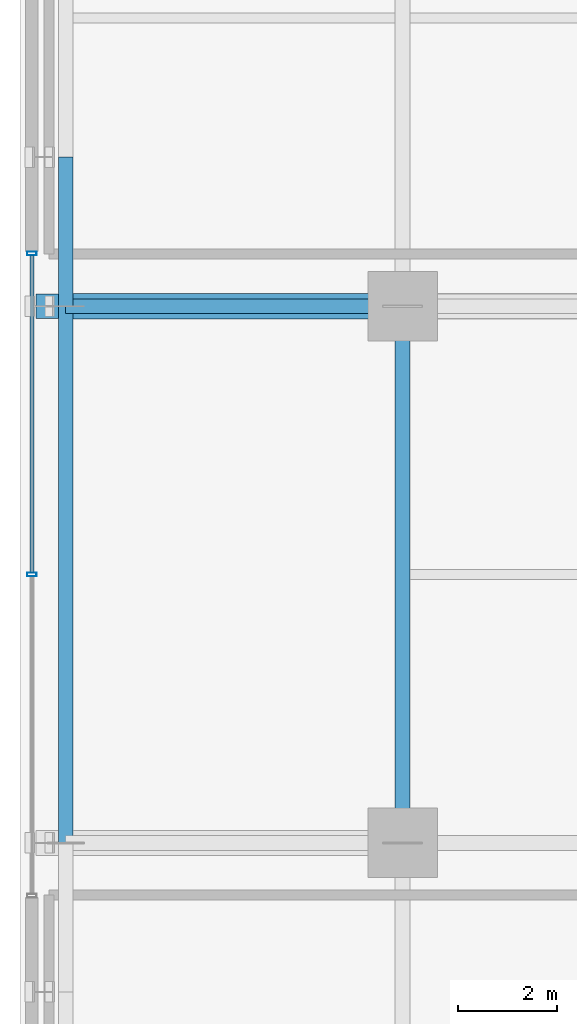
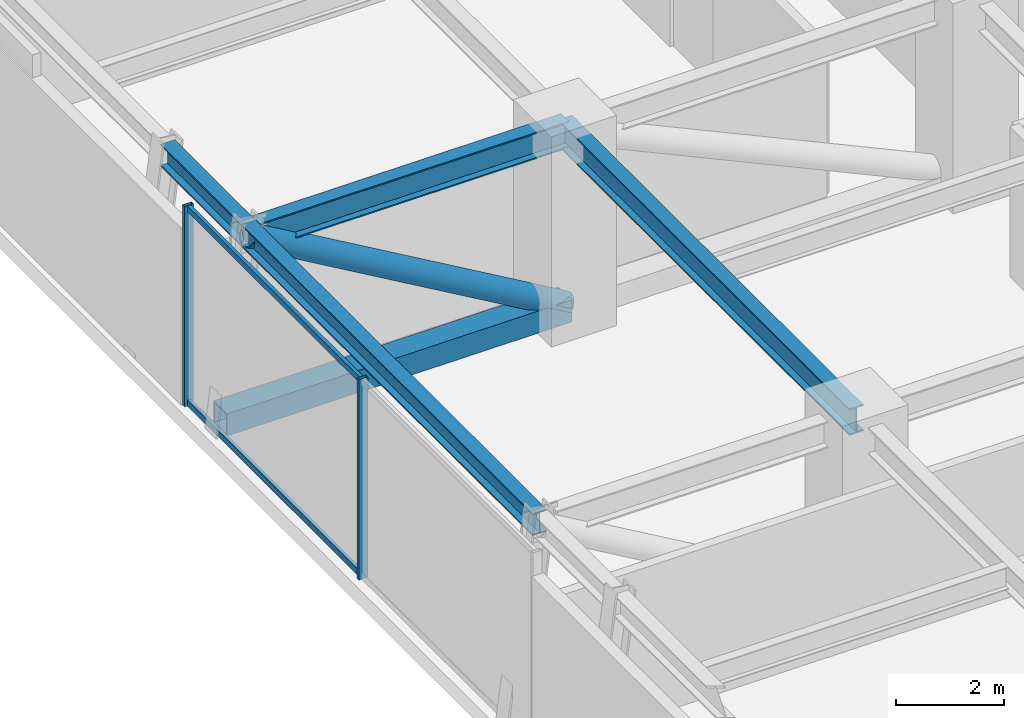
# One storey, part 3 of 17: 6 members, 4 beams, 1 element without a shape of its own.
"""IFC4 building model written with IfcOpenShell, lengths in metres."""

from ifc_helpers import new_model, si_unit, direction, frame, origin, origin_2d, place, context, subcontext, project, spatial, hollow_rectangle, hollow_circle, i_section, extrude, source, transform, mapped, material, material_profile, profile_set, type_object, element, aggregate, save


model = new_model("IFC4")

# Units and contexts
model_context = context("Model", 3, precision=1e-05, world=origin(), true_north=direction((0.0, 1.0)))
body_context = subcontext(model_context, "Body", "Model", "MODEL_VIEW")
ifc_project = project(units=[si_unit("LENGTHUNIT", "METRE"), si_unit("AREAUNIT", "SQUARE_METRE"), si_unit("VOLUMEUNIT", "CUBIC_METRE"), si_unit("PLANEANGLEUNIT", "RADIAN"), si_unit("MASSUNIT", "GRAM", prefix="KILO")], contexts=[model_context])

# Site, building, storey
site_placement = place(None, origin())
site = spatial("IfcSite", under=ifc_project, at=site_placement, CompositionType="ELEMENT")
building_placement = place(site_placement, origin())
building = spatial("IfcBuilding", under=site, at=building_placement, Name="Nahalor Promenade Grand Hotel", CompositionType="ELEMENT")
storey_placement = place(building_placement, frame((0.0, 0.0, 83.5)))
storey = spatial("IfcBuildingStorey", under=building, at=storey_placement, Name="L20", CompositionType="ELEMENT", Elevation=83.5)

# Beams
ifc_material_1 = material(Name="Steel S355JR", Category="steel")
ifc_material_profile_1 = material_profile(ifc_material_1, i_section(OverallWidth=0.3, OverallDepth=0.6, WebThickness=0.0155, FlangeThickness=0.03, at=origin_2d()), Name="HEB 600")
ifc_profile_set_1 = profile_set([ifc_material_profile_1], Name="Steel S355JR")
beam_type_1 = type_object("IfcBeamType", Name="Beam-Girder-HEB600", PredefinedType="BEAM", material=ifc_profile_set_1)
shared_shape_1 = source(origin(), body_context, "Body", "SweptSolid", [
    extrude(i_section(OverallWidth=0.3, OverallDepth=0.6, WebThickness=0.0155, FlangeThickness=0.03, at=origin_2d()), origin(), (0.0, 0.0, 1.0), 10.7998046875),
])
beam_1_placement = place(storey_placement, frame((-17.0, -5.39990234375, 4.22998046875), z_axis=(0.0, 1.0, 0.0), x_axis=(-1.0, 0.0, 0.0)))
element("IfcBeam", 1, at=beam_1_placement, inside=storey, type_object=beam_type_1, Name="BM-L20-GY-0-2", PredefinedType="BEAM", context=body_context, shape_type="MappedRepresentation", body=[
    mapped(shared_shape_1, transform((0.0, 0.0, 0.0), scale=1.0)),
])
ifc_material_profile_2 = material_profile(ifc_material_1, i_section(OverallWidth=0.3, OverallDepth=0.5, WebThickness=0.0145, FlangeThickness=0.028, at=origin_2d()), Name="HEB 500")
ifc_profile_set_2 = profile_set([ifc_material_profile_2], Name="Steel S355JR")
beam_type_2 = type_object("IfcBeamType", Name="Beam-Spandrel-HEB500", PredefinedType="SPANDREL", material=ifc_profile_set_2)
shared_shape_2 = source(origin(), body_context, "Body", "SweptSolid", [
    extrude(i_section(OverallWidth=0.3, OverallDepth=0.5, WebThickness=0.0145, FlangeThickness=0.028, at=origin_2d()), origin(), (0.0, 0.0, 1.0), 3.0),
])
beam_2_placement = place(storey_placement, frame((-23.780029296875, 5.39990234375, 4.280029296875), z_axis=(0.0, 1.0, 0.0), x_axis=(-1.0, 0.0, 0.0)))
element("IfcBeam", 2, at=beam_2_placement, inside=storey, type_object=beam_type_2, Name="BM-L20-SP-W-3", PredefinedType="SPANDREL", context=body_context, shape_type="MappedRepresentation", body=[
    mapped(shared_shape_2, transform((0.0, 0.0, 0.0), scale=1.0)),
])
shared_shape_3 = source(origin(), body_context, "Body", "SweptSolid", [
    extrude(i_section(OverallWidth=0.3, OverallDepth=0.5, WebThickness=0.0145, FlangeThickness=0.028, at=origin_2d()), origin(), (0.0, 0.0, 1.0), 10.7998046875),
])
beam_3_placement = place(storey_placement, frame((-23.780029296875, -5.39990234375, 4.280029296875), z_axis=(0.0, 1.0, 0.0), x_axis=(-1.0, 0.0, 0.0)))
element("IfcBeam", 3, at=beam_3_placement, inside=storey, type_object=beam_type_2, Name="BM-L20-SP-W-2", PredefinedType="SPANDREL", context=body_context, shape_type="MappedRepresentation", body=[
    mapped(shared_shape_3, transform((0.0, 0.0, 0.0), scale=1.0)),
])
shared_shape_4 = source(origin(), body_context, "Body", "SweptSolid", [
    extrude(i_section(OverallWidth=0.3, OverallDepth=0.6, WebThickness=0.0155, FlangeThickness=0.03, at=origin_2d()), origin(), (0.0, 0.0, 1.0), 6.780029296875),
])
beam_4_placement = place(storey_placement, frame((-23.780029296875, 5.39990234375, 4.22998046875), z_axis=(1.0, 0.0, 0.0), x_axis=(0.0, 1.0, 0.0)))
element("IfcBeam", 4, at=beam_4_placement, inside=storey, type_object=beam_type_1, Name="BM-L20-GX-2-0", PredefinedType="BEAM", context=body_context, shape_type="MappedRepresentation", body=[
    mapped(shared_shape_4, transform((0.0, 0.0, 0.0), scale=1.0)),
])

# Members
ifc_material_2 = material(Name="Steel S355J2", Category="steel")
ifc_material_profile_3 = material_profile(ifc_material_2, hollow_circle(Radius=0.254, WallThickness=0.025, at=origin_2d()), Name="CHS 508x25")
ifc_profile_set_3 = profile_set([ifc_material_profile_3], Name="Steel S355J2")
member_type_1 = type_object("IfcMemberType", Name="Mem-OutDiag-CHS508", PredefinedType="BRACE", material=ifc_profile_set_3)
shared_shape_5 = source(origin(), body_context, "Body", "SweptSolid", [
    extrude(hollow_circle(Radius=0.254, WallThickness=0.025, at=origin_2d()), origin(), (0.0, 0.0, 1.0), 7.8466796875),
])
member_1_placement = place(storey_placement, frame((-17.0, 5.39990234375, 0.300048828125), z_axis=(-0.864059757539, 0.0, 0.503389248397), x_axis=(0.0, -1.0, 0.0)))
element("IfcMember", 5, at=member_1_placement, inside=storey, type_object=member_type_1, Name="OU-L20-W2-D2", PredefinedType="BRACE", context=body_context, shape_type="MappedRepresentation", body=[
    mapped(shared_shape_5, transform((0.0, 0.0, 0.0), scale=1.0)),
])
ifc_material_profile_4 = material_profile(ifc_material_2, hollow_rectangle(XDim=0.5, YDim=0.5, WallThickness=0.032, at=origin_2d()), Name="SHS 500x500x32")
ifc_profile_set_4 = profile_set([ifc_material_profile_4], Name="Steel S355J2")
member_type_2 = type_object("IfcMemberType", Name="Mem-Chord-SHS500", PredefinedType="CHORD", material=ifc_profile_set_4)
shared_shape_6 = source(origin(), body_context, "Body", "SweptSolid", [
    extrude(hollow_rectangle(XDim=0.5, YDim=0.5, WallThickness=0.032, at=origin_2d()), origin(), (0.0, 0.0, 1.0), 7.3798828125),
])
member_2_placement = place(storey_placement, frame((-17.0, 5.39990234375, 0.300048828125), z_axis=(-1.0, 0.0, 0.0), x_axis=(0.0, -1.0, 0.0)))
element("IfcMember", 6, at=member_2_placement, inside=storey, type_object=member_type_2, Name="OU-L20-W2-C2", PredefinedType="CHORD", context=body_context, shape_type="MappedRepresentation", body=[
    mapped(shared_shape_6, transform((0.0, 0.0, 0.0), scale=1.0)),
])

# Curtain wall, members
ifc_material_3 = material(Name="Anodised Bronze Aluminium EN AW-6063 T6", Category="aluminium")
curtain_wall_type = type_object("IfcCurtainWallType", Name="CW6 Crown Botanical Conservatory Curtain Wall", PredefinedType="USERDEFINED", material=ifc_material_3)
curtain_wall_placement = place(storey_placement, origin())
curtain_wall = element("IfcCurtainWall", 7, at=curtain_wall_placement, inside=storey, type_object=curtain_wall_type, Name="L20 Curtain Wall CW-L20-W", ObjectType="UNITISED_CURTAIN_WALL", PredefinedType="USERDEFINED")
ifc_material_profile_5 = material_profile(ifc_material_3, hollow_rectangle(XDim=0.075, YDim=0.19, WallThickness=0.005, at=origin_2d()), Name="CWM 75x190x5")
ifc_profile_set_5 = profile_set([ifc_material_profile_5], Name="Anodised Bronze Aluminium EN AW-6063 T6")
member_type_3 = type_object("IfcMemberType", Name="CWM6 Conservatory Bronze Mullion 75x190", PredefinedType="MULLION", material=ifc_profile_set_5)
shared_shape_7 = source(origin(), body_context, "Body", "SweptSolid", [
    extrude(hollow_rectangle(XDim=0.075, YDim=0.19, WallThickness=0.005, at=origin_2d()), origin(), (0.0, 0.0, 1.0), 4.530029296875),
])
member_3_placement = place(storey_placement, frame((-24.4599609375, 0.0, 0.0), z_axis=(0.0, 0.0, 1.0), x_axis=(0.0, 1.0, 0.0)))
member_3 = element("IfcMember", 8, at=member_3_placement, type_object=member_type_3, Name="CW-L20-W Mullion 1", PredefinedType="MULLION", context=body_context, shape_type="MappedRepresentation", body=[
    mapped(shared_shape_7, transform((0.0, 0.0, 0.0), scale=1.0)),
])
member_4_placement = place(storey_placement, frame((-24.4599609375, 6.46240234375, 0.0), z_axis=(0.0, 0.0, 1.0), x_axis=(0.0, 1.0, 0.0)))
member_4 = element("IfcMember", 9, at=member_4_placement, type_object=member_type_3, Name="CW-L20-W Mullion 2", PredefinedType="MULLION", context=body_context, shape_type="MappedRepresentation", body=[
    mapped(shared_shape_7, transform((0.0, 0.0, 0.0), scale=1.0)),
])
ifc_material_profile_6 = material_profile(ifc_material_3, hollow_rectangle(XDim=0.075, YDim=0.135, WallThickness=0.004, at=origin_2d()), Name="CWT 75x135x4")
ifc_profile_set_6 = profile_set([ifc_material_profile_6], Name="Anodised Bronze Aluminium EN AW-6063 T6")
member_type_4 = type_object("IfcMemberType", Name="CWT6 Conservatory Transom 75x135", PredefinedType="USERDEFINED", material=ifc_profile_set_6)
shared_shape_8 = source(origin(), body_context, "Body", "SweptSolid", [
    extrude(hollow_rectangle(XDim=0.075, YDim=0.135, WallThickness=0.004, at=origin_2d()), origin(), (0.0, 0.0, 1.0), 6.387451171875),
])
member_5_placement = place(storey_placement, frame((-24.4599609375, 0.03759765625, 0.0673828125), z_axis=(0.0, 1.0, 0.0), x_axis=(-1.0, 0.0, 0.0)))
member_5 = element("IfcMember", 10, at=member_5_placement, type_object=member_type_4, Name="CW-L20-W Transom 1-0", ObjectType="TRANSOM", PredefinedType="USERDEFINED", context=body_context, shape_type="MappedRepresentation", body=[
    mapped(shared_shape_8, transform((0.0, 0.0, 0.0), scale=1.0)),
])
member_6_placement = place(storey_placement, frame((-24.4599609375, 0.03759765625, 4.46240234375), z_axis=(0.0, 1.0, 0.0), x_axis=(-1.0, 0.0, 0.0)))
member_6 = element("IfcMember", 11, at=member_6_placement, type_object=member_type_4, Name="CW-L20-W Transom 1-1", ObjectType="TRANSOM", PredefinedType="USERDEFINED", context=body_context, shape_type="MappedRepresentation", body=[
    mapped(shared_shape_8, transform((0.0, 0.0, 0.0), scale=1.0)),
])
aggregate(curtain_wall, [member_3, member_4, member_5, member_6])

save(model, "model.ifc")
